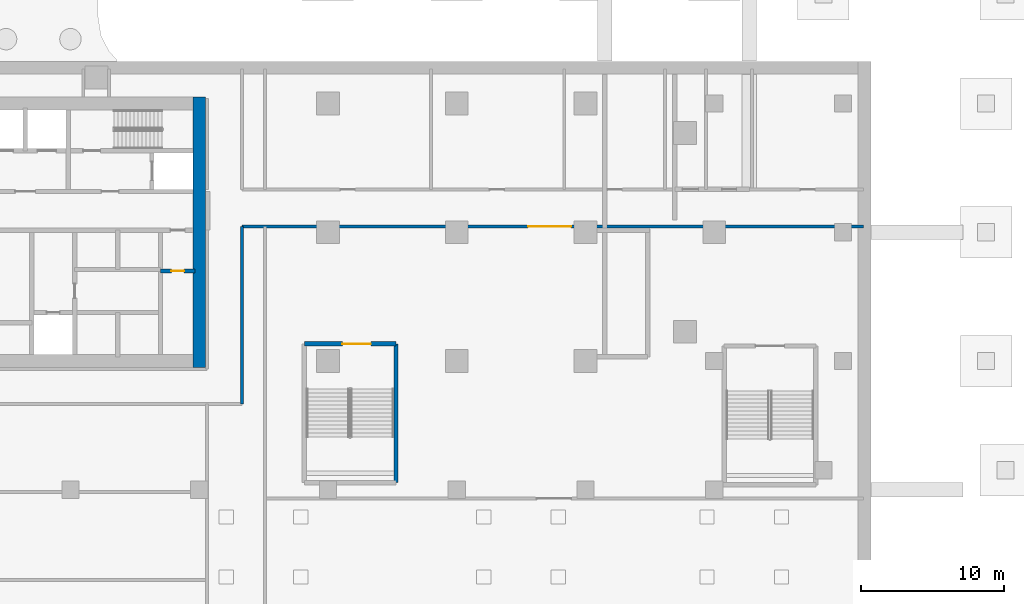
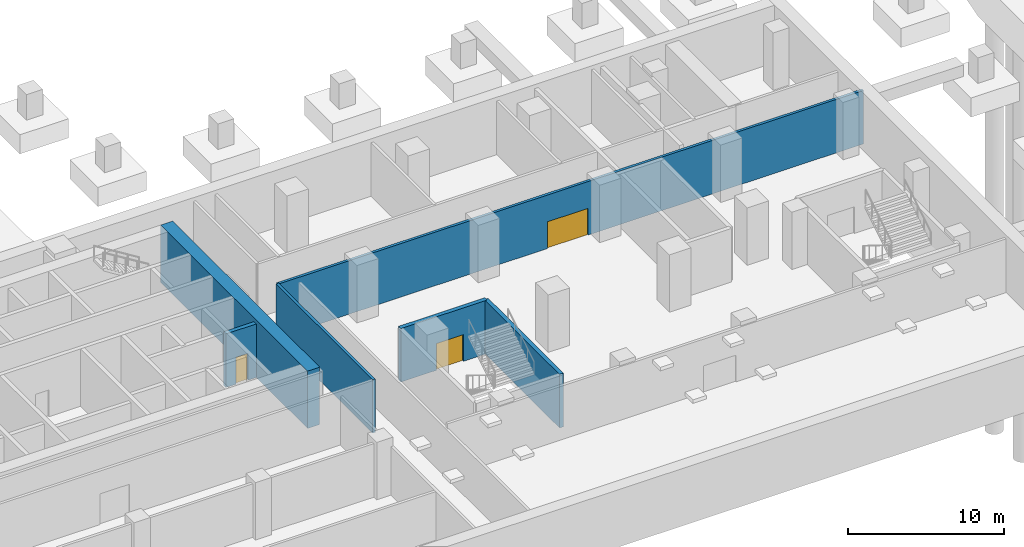
# One storey, part 6 of 14: 6 walls, 3 doors, 3 openings.
"""IFC4 building model written with IfcOpenShell, lengths in metres."""

from ifc_helpers import new_model, si_unit, direction, frame, frame_2d, origin, place, context, subcontext, project, spatial, rectangle, extrude, material, layer, layer_set, type_object, element, fill, save


model = new_model("IFC4")

# Units and contexts
model_context = context("Model", 3, precision=1e-05, world=origin(), true_north=direction((0.0, 1.0)))
body_context = subcontext(model_context, "Body", "Model", "MODEL_VIEW")
ifc_project = project(units=[si_unit("LENGTHUNIT", "METRE"), si_unit("AREAUNIT", "SQUARE_METRE"), si_unit("VOLUMEUNIT", "CUBIC_METRE"), si_unit("PLANEANGLEUNIT", "RADIAN"), si_unit("MASSUNIT", "GRAM", prefix="KILO")], contexts=[model_context])

# Site, building, storey
site_placement = place(None, origin())
site = spatial("IfcSite", under=ifc_project, at=site_placement, CompositionType="ELEMENT")
building_placement = place(site_placement, origin())
building = spatial("IfcBuilding", under=site, at=building_placement, Name="Ogive Portal Towers", CompositionType="ELEMENT")
storey_placement = place(building_placement, frame((0.0, 0.0, -4.5)))
storey = spatial("IfcBuildingStorey", under=building, at=storey_placement, Name="B1", CompositionType="ELEMENT", Elevation=-4.5)

# Walls
ifc_material_1 = material(Name="Concrete C60/75", Category="concrete")
ifc_layer_1 = layer(ifc_material_1, 0.89990234375)
ifc_layer_set_1 = layer_set([ifc_layer_1], Name="CORE WALL 900 C60")
wall_type_1 = type_object("IfcWallType", Name="CORE WALL 900 C60", PredefinedType="SHEAR", material=ifc_layer_set_1)
wall_1_placement = place(storey_placement, frame((58.5, 21.050048828125, 0.0), z_axis=(0.0, 0.0, 1.0), x_axis=(0.0, 1.0, 0.0)))
element("IfcWall", 1, at=wall_1_placement, inside=storey, type_object=wall_type_1, Name="Core wall E B1", PredefinedType="SHEAR", context=body_context, shape_type="SweptSolid", body=[
    extrude(rectangle(XDim=18.89990234375, YDim=0.89990234375, at=frame_2d((9.449951171875, 0.0))), origin(), (0.0, 0.0, 1.0), 4.5),
])
ifc_material_2 = material(Name="Concrete C50/60", Category="concrete")
ifc_layer_2 = layer(ifc_material_2, 0.300048828125)
ifc_layer_set_2 = layer_set([ifc_layer_2], Name="STAIR WALL 300 C50")
wall_type_2 = type_object("IfcWallType", Name="STAIR WALL 300 C50", PredefinedType="SHEAR", material=ifc_layer_set_2)
wall_2_placement = place(storey_placement, frame((72.25, 13.0, 0.0), z_axis=(0.0, 0.0, 1.0), x_axis=(0.0, 1.0, 0.0)))
element("IfcWall", 2, at=wall_2_placement, inside=storey, type_object=wall_type_2, Name="Stair wall ST-S1 B1", PredefinedType="SHEAR", context=body_context, shape_type="SweptSolid", body=[
    extrude(rectangle(XDim=9.699951171875, YDim=0.300048828125, at=frame_2d((4.85009765625, 0.0))), origin(), (0.0, 0.0, 1.0), 4.199951171875),
])

# Wall, opening, door
ifc_material_3 = material(Name="Gypsum board partition on steel studs", Category="steel")
ifc_layer_3 = layer(ifc_material_3, 0.199951171875)
ifc_layer_set_3 = layer_set([ifc_layer_3], Name="WT-PART-200-EI 60")
wall_type_3 = type_object("IfcWallType", Name="WT-PART-200-EI 60", PredefinedType="PARTITIONING", material=ifc_layer_set_3)
wall_3_placement = place(storey_placement, frame((61.5, 30.89990234375, 0.0), z_axis=(0.0, 0.0, 1.0), x_axis=(1.0, 0.0, 0.0)))
wall_3 = element("IfcWall", 3, at=wall_3_placement, inside=storey, type_object=wall_type_3, Name="Wall B1:w011", PredefinedType="PARTITIONING", context=body_context, shape_type="SweptSolid", body=[
    extrude(rectangle(XDim=43.429931640625, YDim=0.199951171875, at=frame_2d((21.71484375, 0.0))), origin(), (0.0, 0.0, 1.0), 4.199951171875),
])
opening_1_placement = place(wall_3_placement, frame((20.0, 0.0, 0.0)))
opening_1 = element("IfcOpeningElement", 4, at=opening_1_placement, cuts=wall_3, Name="Opening PB1-004", PredefinedType="OPENING", context=body_context, shape_type="SweptSolid", body=[
    extrude(rectangle(XDim=3.0, YDim=2.10009765625, at=frame_2d((1.5, 1.050048828125))), frame((0.0, 0.10986328125, 0.0), z_axis=(0.0, -1.0, 0.0), x_axis=(1.0, 0.0, 0.0)), (0.0, 0.0, 1.0), 0.219970703125),
])
ifc_material_4 = material(Name="Steel fire door", Category="steel")
door_type_1 = type_object("IfcDoorType", Name="DT-SWING-3000x2100-FD60S", OperationType="SINGLE_SWING_LEFT", PredefinedType="DOOR", material=ifc_material_4)
door_1_placement = place(opening_1_placement, origin())
door_1 = element("IfcDoor", 5, at=door_1_placement, inside=storey, type_object=door_type_1, Name="Door PB1-004", OperationType="SINGLE_SWING_RIGHT", OverallHeight=2.10009765625, OverallWidth=3.0, PredefinedType="DOOR", context=body_context, shape_type="SweptSolid", body=[
    extrude(rectangle(XDim=3.0, YDim=2.10009765625, at=frame_2d((1.5, 1.050048828125))), frame((0.0, 0.02490234375, 0.0), z_axis=(0.0, -1.0, 0.0), x_axis=(1.0, 0.0, 0.0)), (0.0, 0.0, 1.0), 0.050048828125),
])
fill(opening_1, door_1)

# Wall
wall_4_placement = place(storey_placement, frame((61.5, 18.5, 0.0), z_axis=(0.0, 0.0, 1.0), x_axis=(0.0, 1.0, 0.0)))
element("IfcWall", 6, at=wall_4_placement, inside=storey, type_object=wall_type_3, Name="Wall B1:w028", PredefinedType="PARTITIONING", context=body_context, shape_type="SweptSolid", body=[
    extrude(rectangle(XDim=12.39990234375, YDim=0.199951171875, at=frame_2d((6.199951171875, 0.0))), origin(), (0.0, 0.0, 1.0), 4.199951171875),
])

# Wall, opening, door
ifc_layer_4 = layer(ifc_material_3, 0.300048828125)
ifc_layer_set_4 = layer_set([ifc_layer_4], Name="WT-PART-300")
wall_type_4 = type_object("IfcWallType", Name="WT-PART-300", PredefinedType="PARTITIONING", material=ifc_layer_set_4)
wall_5_placement = place(storey_placement, frame((55.800048828125, 27.800048828125, 0.0), z_axis=(0.0, 0.0, 1.0), x_axis=(1.0, 0.0, 0.0)))
wall_5 = element("IfcWall", 7, at=wall_5_placement, inside=storey, type_object=wall_type_4, Name="Wall pw:004:B1", PredefinedType="PARTITIONING", context=body_context, shape_type="SweptSolid", body=[
    extrude(rectangle(XDim=2.39990234375, YDim=0.300048828125, at=frame_2d((1.199951171875, 0.0))), origin(), (0.0, 0.0, 1.0), 4.199951171875),
])
opening_2_placement = place(wall_5_placement, frame((0.75, 0.0, 0.0)))
opening_2 = element("IfcOpeningElement", 8, at=opening_2_placement, cuts=wall_5, Name="Opening D101-009", PredefinedType="OPENING", context=body_context, shape_type="SweptSolid", body=[
    extrude(rectangle(XDim=0.89990234375, YDim=2.10009765625, at=frame_2d((0.449951171875, 1.050048828125))), frame((0.0, 0.16015625, 0.0), z_axis=(0.0, -1.0, 0.0), x_axis=(1.0, 0.0, 0.0)), (0.0, 0.0, 1.0), 0.320068359375),
])
door_type_2 = type_object("IfcDoorType", Name="DT-SWING-900x2100-FD60S", OperationType="SINGLE_SWING_LEFT", PredefinedType="DOOR", material=ifc_material_4)
door_2_placement = place(opening_2_placement, origin())
door_2 = element("IfcDoor", 9, at=door_2_placement, inside=storey, type_object=door_type_2, Name="Door D101-009", OperationType="SINGLE_SWING_RIGHT", OverallHeight=2.10009765625, OverallWidth=0.89990234375, PredefinedType="DOOR", context=body_context, shape_type="SweptSolid", body=[
    extrude(rectangle(XDim=0.89990234375, YDim=2.10009765625, at=frame_2d((0.449951171875, 1.050048828125))), frame((0.0, 0.02490234375, 0.0), z_axis=(0.0, -1.0, 0.0), x_axis=(1.0, 0.0, 0.0)), (0.0, 0.0, 1.0), 0.050048828125),
])
fill(opening_2, door_2)

ifc_material_5 = material(Name="Concrete C40/50", Category="concrete")
ifc_layer_5 = layer(ifc_material_5, 0.300048828125)
ifc_layer_set_5 = layer_set([ifc_layer_5], Name="WT-SHAFT-300")
wall_type_5 = type_object("IfcWallType", Name="WT-SHAFT-300", PredefinedType="SOLIDWALL", material=ifc_layer_set_5)
wall_6_placement = place(storey_placement, frame((65.85009765625, 22.699951171875, 0.0), z_axis=(0.0, 0.0, 1.0), x_axis=(1.0, 0.0, 0.0)))
wall_6 = element("IfcWall", 10, at=wall_6_placement, inside=storey, type_object=wall_type_5, Name="Wall B1:w009", PredefinedType="SOLIDWALL", context=body_context, shape_type="SweptSolid", body=[
    extrude(rectangle(XDim=6.39990234375, YDim=0.300048828125, at=frame_2d((3.199951171875, 0.0))), origin(), (0.0, 0.0, 1.0), 4.199951171875),
])
opening_3_placement = place(wall_6_placement, frame((2.64990234375, 0.0, 0.0)))
opening_3 = element("IfcOpeningElement", 11, at=opening_3_placement, cuts=wall_6, Name="Opening PB1-001", PredefinedType="OPENING", context=body_context, shape_type="SweptSolid", body=[
    extrude(rectangle(XDim=2.0, YDim=2.10009765625, at=frame_2d((1.0, 1.050048828125))), frame((0.0, 0.16015625, 0.0), z_axis=(0.0, -1.0, 0.0), x_axis=(1.0, 0.0, 0.0)), (0.0, 0.0, 1.0), 0.320068359375),
])
door_type_3 = type_object("IfcDoorType", Name="DT-SWING-2000x2100-FD90S", OperationType="SINGLE_SWING_LEFT", PredefinedType="DOOR", material=ifc_material_4)
door_3_placement = place(opening_3_placement, origin())
door_3 = element("IfcDoor", 12, at=door_3_placement, inside=storey, type_object=door_type_3, Name="Door PB1-001", OperationType="SINGLE_SWING_LEFT", OverallHeight=2.10009765625, OverallWidth=2.0, PredefinedType="DOOR", context=body_context, shape_type="SweptSolid", body=[
    extrude(rectangle(XDim=2.0, YDim=2.10009765625, at=frame_2d((1.0, 1.050048828125))), frame((0.0, 0.02490234375, 0.0), z_axis=(0.0, -1.0, 0.0), x_axis=(1.0, 0.0, 0.0)), (0.0, 0.0, 1.0), 0.050048828125),
])
fill(opening_3, door_3)

save(model, "model.ifc")
